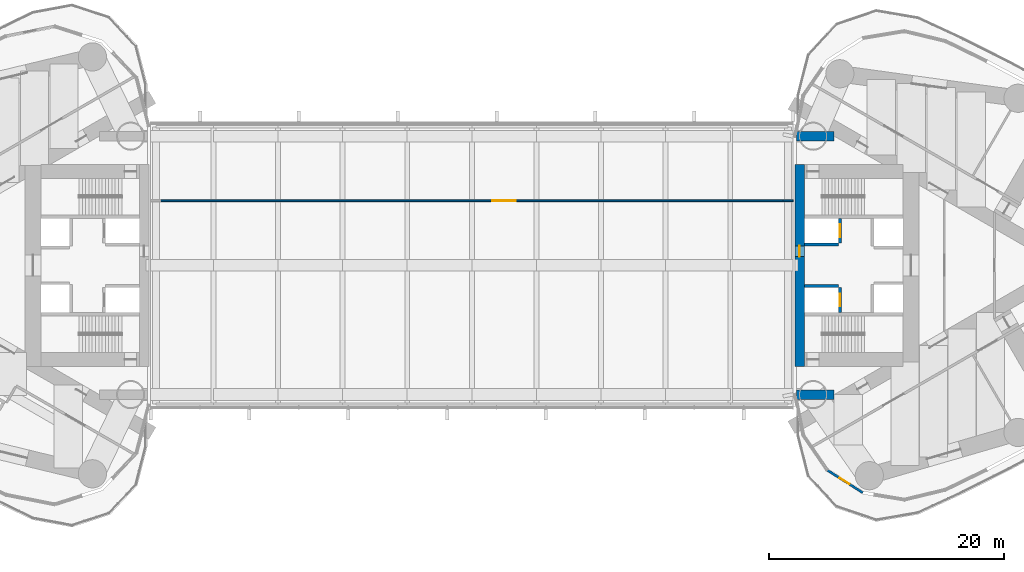
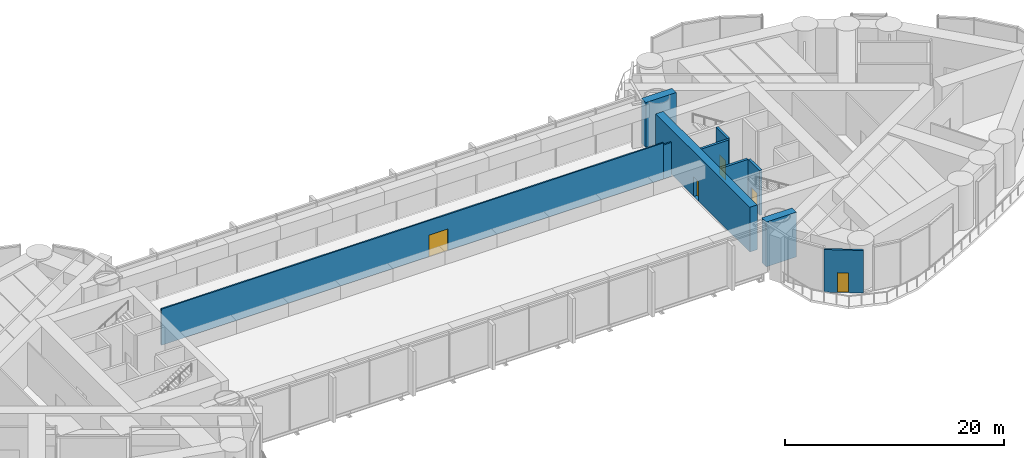
# One storey, part 17 of 22: 10 walls, 5 doors, 5 openings.
"""IFC4 building model written with IfcOpenShell, lengths in metres."""

from ifc_helpers import new_model, si_unit, direction, frame, frame_2d, origin, place, context, subcontext, project, spatial, rectangle, extrude, material, layer, layer_set, type_object, element, fill, save


model = new_model("IFC4")

# Units and contexts
model_context = context("Model", 3, precision=1e-05, world=origin(), true_north=direction((0.0, 1.0)))
body_context = subcontext(model_context, "Body", "Model", "MODEL_VIEW")
ifc_project = project(units=[si_unit("LENGTHUNIT", "METRE"), si_unit("AREAUNIT", "SQUARE_METRE"), si_unit("VOLUMEUNIT", "CUBIC_METRE"), si_unit("PLANEANGLEUNIT", "RADIAN"), si_unit("MASSUNIT", "GRAM", prefix="KILO")], contexts=[model_context])

# Site, building, storey
site_placement = place(None, origin())
site = spatial("IfcSite", under=ifc_project, at=site_placement, CompositionType="ELEMENT")
building_placement = place(site_placement, origin())
building = spatial("IfcBuilding", under=site, at=building_placement, Name="Lancet Gate Hotel", CompositionType="ELEMENT")
storey_placement = place(building_placement, frame((0.0, 0.0, 210.300048828125)))
storey = spatial("IfcBuildingStorey", under=building, at=storey_placement, Name="L56", CompositionType="ELEMENT", Elevation=210.300048828125)

# Wall, opening, door
ifc_material_1 = material(Name="Concrete C70/85", Category="concrete")
ifc_layer_1 = layer(ifc_material_1, 0.800048828125)
ifc_layer_set_1 = layer_set([ifc_layer_1], Name="Core wall 800")
wall_type_1 = type_object("IfcWallType", Name="Core wall 800", PredefinedType="SHEAR", material=ifc_layer_set_1)
wall_1_placement = place(storey_placement, frame((27.89990234375, -8.60009765625, 0.0), z_axis=(0.0, 0.0, 1.0), x_axis=(0.0, 1.0, 0.0)))
wall_1 = element("IfcWall", 1, at=wall_1_placement, inside=storey, type_object=wall_type_1, Name="T2 core wall front L56", PredefinedType="SHEAR", context=body_context, shape_type="SweptSolid", body=[
    extrude(rectangle(XDim=17.2001953125, YDim=0.800048828125, at=frame_2d((8.60009765625, 0.0))), origin(), (0.0, 0.0, 1.0), 5.0),
])
opening_1_placement = place(wall_1_placement, frame((9.35009765625, 0.0, 0.0)))
opening_1 = element("IfcOpeningElement", 2, at=opening_1_placement, cuts=wall_1, Name="Opening T2-L56-BR", PredefinedType="OPENING", context=body_context, shape_type="SweptSolid", body=[
    extrude(rectangle(XDim=0.89990234375, YDim=2.199951171875, at=frame_2d((0.449951171875, 1.10009765625))), frame((0.0, 0.409912109375, 0.0), z_axis=(0.0, -1.0, 0.0), x_axis=(1.0, 0.0, 0.0)), (0.0, 0.0, 1.0), 0.820068359375),
])
ifc_material_2 = material(Name="Steel door set", Category="steel")
door_type_1 = type_object("IfcDoorType", Name="Bridge fire door 900", OperationType="SINGLE_SWING_LEFT", PredefinedType="DOOR", material=ifc_material_2)
door_1_placement = place(opening_1_placement, origin())
door_1 = element("IfcDoor", 3, at=door_1_placement, inside=storey, type_object=door_type_1, Name="T2-L56-BR", OperationType="SINGLE_SWING_LEFT", OverallHeight=2.199951171875, OverallWidth=0.89990234375, PredefinedType="DOOR", context=body_context, shape_type="SweptSolid", body=[
    extrude(rectangle(XDim=0.89990234375, YDim=2.199951171875, at=frame_2d((0.449951171875, 1.10009765625))), frame((0.0, 0.02490234375, 0.0), z_axis=(0.0, -1.0, 0.0), x_axis=(1.0, 0.0, 0.0)), (0.0, 0.0, 1.0), 0.050048828125),
])
fill(opening_1, door_1)

ifc_material_3 = material(Name="Glazed aluminium screen", Category="aluminium")
ifc_layer_2 = layer(ifc_material_3, 0.199951171875)
ifc_layer_set_2 = layer_set([ifc_layer_2], Name="Glazed entrance screen 200")
wall_type_2 = type_object("IfcWallType", Name="Glazed entrance screen 200", PredefinedType="STANDARD", material=ifc_layer_set_2)
wall_2_placement = place(storey_placement, frame((33.283203125, -19.353515625, 0.0), z_axis=(0.0, 0.0, 1.0), x_axis=(-0.843840574659, 0.536593966196, 0.0)))
wall_2 = element("IfcWall", 4, at=wall_2_placement, inside=storey, type_object=wall_type_2, Name="T2 maintenance roof screen L56", PredefinedType="STANDARD", context=body_context, shape_type="SweptSolid", body=[
    extrude(rectangle(XDim=3.591552734375, YDim=0.199951171875, at=frame_2d((1.7958984375, 0.0))), origin(), (0.0, 0.0, 1.0), 4.75),
])
opening_2_placement = place(wall_2_placement, frame((1.345947265625, 0.0, 0.0)))
opening_2 = element("IfcOpeningElement", 5, at=opening_2_placement, cuts=wall_2, Name="Opening T2-L56-MR", PredefinedType="OPENING", context=body_context, shape_type="SweptSolid", body=[
    extrude(rectangle(XDim=1.0, YDim=2.199951171875, at=frame_2d((0.5, 1.10009765625))), frame((0.0, 0.10986328125, 0.0), z_axis=(0.0, -1.0, 0.0), x_axis=(1.0, 0.0, 0.0)), (0.0, 0.0, 1.0), 0.219970703125),
])
ifc_material_4 = material(Name="Steel door set, weather sealed", Category="steel")
door_type_2 = type_object("IfcDoorType", Name="Maintenance roof door 1000 external", OperationType="SINGLE_SWING_LEFT", PredefinedType="DOOR", material=ifc_material_4)
door_2_placement = place(opening_2_placement, origin())
door_2 = element("IfcDoor", 6, at=door_2_placement, inside=storey, type_object=door_type_2, Name="Maintenance roof access door T2-L56-MR", OperationType="SINGLE_SWING_LEFT", OverallHeight=2.199951171875, OverallWidth=1.0, PredefinedType="DOOR", context=body_context, shape_type="SweptSolid", body=[
    extrude(rectangle(XDim=1.0, YDim=2.199951171875, at=frame_2d((0.5, 1.10009765625))), frame((0.0, 0.02490234375, 0.0), z_axis=(0.0, -1.0, 0.0), x_axis=(1.0, 0.0, 0.0)), (0.0, 0.0, 1.0), 0.050048828125),
])
fill(opening_2, door_2)

ifc_material_5 = material(Name="Concrete C50/60", Category="concrete")
ifc_layer_3 = layer(ifc_material_5, 0.25)
ifc_layer_set_3 = layer_set([ifc_layer_3], Name="Lift shaft wall 250")
wall_type_3 = type_object("IfcWallType", Name="Lift shaft wall 250", PredefinedType="SHEAR", material=ifc_layer_set_3)
wall_3_placement = place(storey_placement, frame((31.324951171875, -4.0, 0.0), z_axis=(0.0, 0.0, 1.0), x_axis=(0.0, 1.0, 0.0)))
wall_3 = element("IfcWall", 7, at=wall_3_placement, inside=storey, type_object=wall_type_3, Name="T2 core wall row1-S L56", PredefinedType="SHEAR", context=body_context, shape_type="SweptSolid", body=[
    extrude(rectangle(XDim=2.10009765625, YDim=0.25, at=frame_2d((1.050048828125, 0.0))), origin(), (0.0, 0.0, 1.0), 5.0),
])
opening_3_placement = place(wall_3_placement, frame((0.5, 0.0, 0.0)))
opening_3 = element("IfcOpeningElement", 8, at=opening_3_placement, cuts=wall_3, Name="Opening T2-SL1-L56", PredefinedType="OPENING", context=body_context, shape_type="SweptSolid", body=[
    extrude(rectangle(XDim=1.10009765625, YDim=2.199951171875, at=frame_2d((0.550048828125, 1.10009765625))), frame((0.0, 0.135009765625, 0.0), z_axis=(0.0, -1.0, 0.0), x_axis=(1.0, 0.0, 0.0)), (0.0, 0.0, 1.0), 0.27001953125),
])
ifc_material_6 = material(Name="Timber door set", Category="wood")
door_type_3 = type_object("IfcDoorType", Name="Service lift landing door 1100", OperationType="SLIDING_TO_LEFT", PredefinedType="USERDEFINED", material=ifc_material_6)
door_3_placement = place(opening_3_placement, origin())
door_3 = element("IfcDoor", 9, at=door_3_placement, inside=storey, type_object=door_type_3, Name="T2-SL1-L56", ObjectType="LIFT LANDING DOOR", OperationType="SLIDING_TO_LEFT", OverallHeight=2.199951171875, OverallWidth=1.10009765625, PredefinedType="USERDEFINED", context=body_context, shape_type="SweptSolid", body=[
    extrude(rectangle(XDim=1.10009765625, YDim=2.199951171875, at=frame_2d((0.550048828125, 1.10009765625))), frame((0.0, 0.02490234375, 0.0), z_axis=(0.0, -1.0, 0.0), x_axis=(1.0, 0.0, 0.0)), (0.0, 0.0, 1.0), 0.050048828125),
])
fill(opening_3, door_3)

# Wall
wall_4_placement = place(storey_placement, frame((28.300048828125, -1.77490234375, 0.0), z_axis=(0.0, 0.0, 1.0), x_axis=(1.0, 0.0, 0.0)))
element("IfcWall", 10, at=wall_4_placement, inside=storey, type_object=wall_type_3, Name="T2 core wall pass1-S L56", PredefinedType="SHEAR", context=body_context, shape_type="SweptSolid", body=[
    extrude(rectangle(XDim=2.89990234375, YDim=0.25, at=frame_2d((1.449951171875, 0.0))), origin(), (0.0, 0.0, 1.0), 5.0),
])

# Wall, opening, door
wall_5_placement = place(storey_placement, frame((31.324951171875, 1.89990234375, 0.0), z_axis=(0.0, 0.0, 1.0), x_axis=(0.0, 1.0, 0.0)))
wall_5 = element("IfcWall", 11, at=wall_5_placement, inside=storey, type_object=wall_type_3, Name="T2 core wall row1-N L56", PredefinedType="SHEAR", context=body_context, shape_type="SweptSolid", body=[
    extrude(rectangle(XDim=2.10009765625, YDim=0.25, at=frame_2d((1.050048828125, 0.0))), origin(), (0.0, 0.0, 1.0), 5.0),
])
opening_4_placement = place(wall_5_placement, frame((0.5, 0.0, 0.0)))
opening_4 = element("IfcOpeningElement", 12, at=opening_4_placement, cuts=wall_5, Name="Opening T2-FL2-L56", PredefinedType="OPENING", context=body_context, shape_type="SweptSolid", body=[
    extrude(rectangle(XDim=1.10009765625, YDim=2.199951171875, at=frame_2d((0.550048828125, 1.10009765625))), frame((0.0, 0.135009765625, 0.0), z_axis=(0.0, -1.0, 0.0), x_axis=(1.0, 0.0, 0.0)), (0.0, 0.0, 1.0), 0.27001953125),
])
ifc_material_7 = material(Name="Steel door set", Category="steel")
door_type_4 = type_object("IfcDoorType", Name="Firefighting lift landing door 1100", OperationType="SLIDING_TO_LEFT", PredefinedType="USERDEFINED", material=ifc_material_7)
door_4_placement = place(opening_4_placement, origin())
door_4 = element("IfcDoor", 13, at=door_4_placement, inside=storey, type_object=door_type_4, Name="T2-FL2-L56", ObjectType="LIFT LANDING DOOR", OperationType="SLIDING_TO_LEFT", OverallHeight=2.199951171875, OverallWidth=1.10009765625, PredefinedType="USERDEFINED", context=body_context, shape_type="SweptSolid", body=[
    extrude(rectangle(XDim=1.10009765625, YDim=2.199951171875, at=frame_2d((0.550048828125, 1.10009765625))), frame((0.0, 0.02490234375, 0.0), z_axis=(0.0, -1.0, 0.0), x_axis=(1.0, 0.0, 0.0)), (0.0, 0.0, 1.0), 0.050048828125),
])
fill(opening_4, door_4)

# Walls
wall_6_placement = place(storey_placement, frame((28.300048828125, 1.77490234375, 0.0), z_axis=(0.0, 0.0, 1.0), x_axis=(1.0, 0.0, 0.0)))
element("IfcWall", 14, at=wall_6_placement, inside=storey, type_object=wall_type_3, Name="T2 core wall pass1-N L56", PredefinedType="SHEAR", context=body_context, shape_type="SweptSolid", body=[
    extrude(rectangle(XDim=2.89990234375, YDim=0.25, at=frame_2d((1.449951171875, 0.0))), origin(), (0.0, 0.0, 1.0), 5.0),
])
ifc_material_8 = material(Name="Concrete C70/85", Category="concrete")
ifc_layer_4 = layer(ifc_material_8, 0.800048828125)
ifc_layer_set_4 = layer_set([ifc_layer_4], Name="Outrigger wall 800, truss lines")
wall_type_4 = type_object("IfcWallType", Name="Outrigger wall 800, truss lines", PredefinedType="SHEAR", material=ifc_layer_set_4)
for number, where, z_axis, x_axis, name in (
    (15, (27.6201171875, -11.0, 0.0), (0.0, 0.0, 1.0), (1.0, 0.0, 0.0), "T2 transfer wall TS L56"),
    (16, (27.6201171875, 11.0, 0.0), (0.0, 0.0, 1.0), (1.0, 0.0, 0.0), "T2 transfer wall TN L56"),
):
    element("IfcWall", number, at=place(storey_placement, frame(where, z_axis=z_axis, x_axis=x_axis)), inside=storey, type_object=wall_type_4, Name=name, PredefinedType="SHEAR", context=body_context, shape_type="SweptSolid", body=[
        extrude(rectangle(XDim=3.20947265625, YDim=0.800048828125, at=frame_2d((1.604736328125, 0.0))), origin(), (0.0, 0.0, 1.0), 5.0),
    ])

# Wall, opening, door
ifc_material_9 = material(Name="Gypsum board partition")
ifc_layer_5 = layer(ifc_material_9, 0.14990234375)
ifc_layer_set_5 = layer_set([ifc_layer_5], Name="Service room wall 150")
wall_type_5 = type_object("IfcWallType", Name="Service room wall 150", PredefinedType="PARTITIONING", material=ifc_layer_set_5)
wall_7_placement = place(storey_placement, frame((-26.5, 5.5, 0.0), z_axis=(0.0, 0.0, 1.0), x_axis=(1.0, 0.0, 0.0)))
wall_7 = element("IfcWall", 17, at=wall_7_placement, inside=storey, type_object=wall_type_5, Name="Bridge block service room wall 150 L56", PredefinedType="PARTITIONING", context=body_context, shape_type="SweptSolid", body=[
    extrude(rectangle(XDim=53.0, YDim=0.14990234375, at=frame_2d((26.5, 0.0))), origin(), (0.0, 0.0, 1.0), 4.030029296875),
])
opening_5_placement = place(wall_7_placement, frame((28.25, 0.0, 0.0)))
opening_5 = element("IfcOpeningElement", 18, at=opening_5_placement, cuts=wall_7, Name="Opening BR-L56-BK2", PredefinedType="OPENING", context=body_context, shape_type="SweptSolid", body=[
    extrude(rectangle(XDim=2.0, YDim=2.39990234375, at=frame_2d((1.0, 1.199951171875))), frame((0.0, 0.0849609375, 0.0), z_axis=(0.0, -1.0, 0.0), x_axis=(1.0, 0.0, 0.0)), (0.0, 0.0, 1.0), 0.169921875),
])
ifc_material_10 = material(Name="Timber door set", Category="wood")
door_type_5 = type_object("IfcDoorType", Name="Plant room double door 2000", OperationType="DOUBLE_DOOR_SINGLE_SWING", PredefinedType="DOOR", material=ifc_material_10)
door_5_placement = place(opening_5_placement, origin())
door_5 = element("IfcDoor", 19, at=door_5_placement, inside=storey, type_object=door_type_5, Name="BR-L56-BK2", OperationType="DOUBLE_DOOR_SINGLE_SWING", OverallHeight=2.39990234375, OverallWidth=2.0, PredefinedType="DOOR", context=body_context, shape_type="SweptSolid", body=[
    extrude(rectangle(XDim=2.0, YDim=2.39990234375, at=frame_2d((1.0, 1.199951171875))), frame((0.0, 0.02490234375, 0.0), z_axis=(0.0, -1.0, 0.0), x_axis=(1.0, 0.0, 0.0)), (0.0, 0.0, 1.0), 0.050048828125),
])
fill(opening_5, door_5)

# Wall
wall_8_placement = place(storey_placement, frame((26.5, 5.5, 0.0), z_axis=(0.0, 0.0, 1.0), x_axis=(1.0, 0.0, 0.0)))
element("IfcWall", 20, at=wall_8_placement, inside=storey, type_object=wall_type_5, Name="Bridge block service room wall 150 L56", PredefinedType="PARTITIONING", context=body_context, shape_type="SweptSolid", body=[
    extrude(rectangle(XDim=0.85009765625, YDim=0.14990234375, at=frame_2d((0.425048828125, 0.0))), origin(), (0.0, 0.0, 1.0), 3.800048828125),
])

save(model, "model.ifc")
